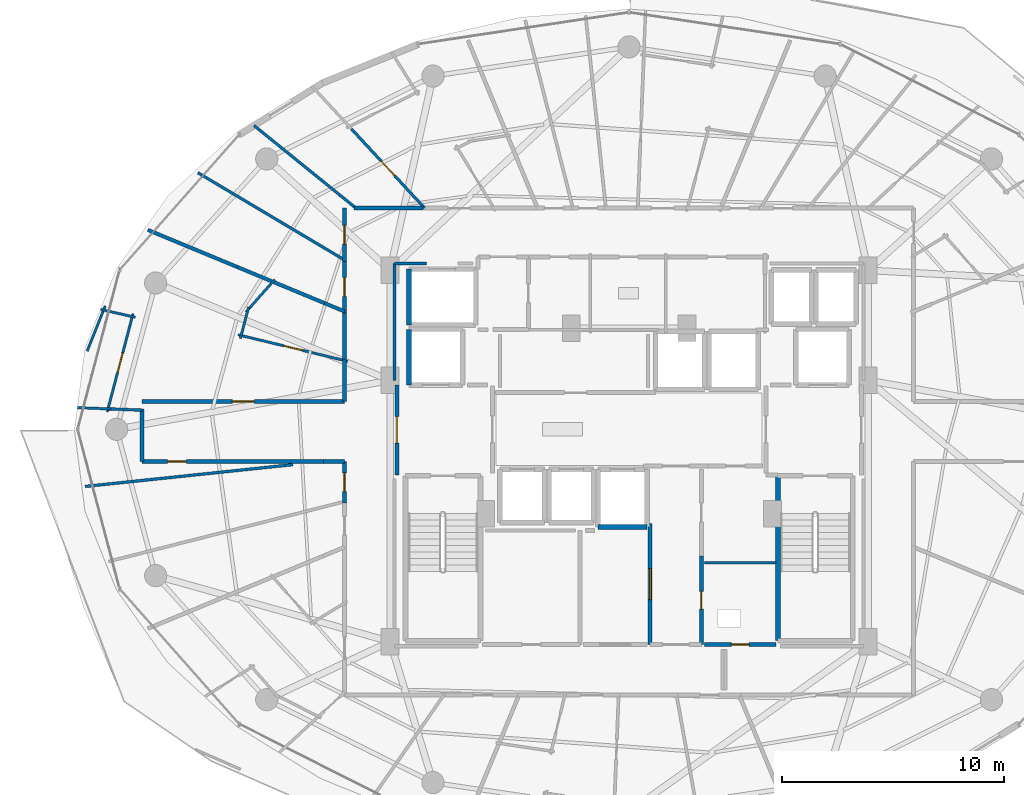
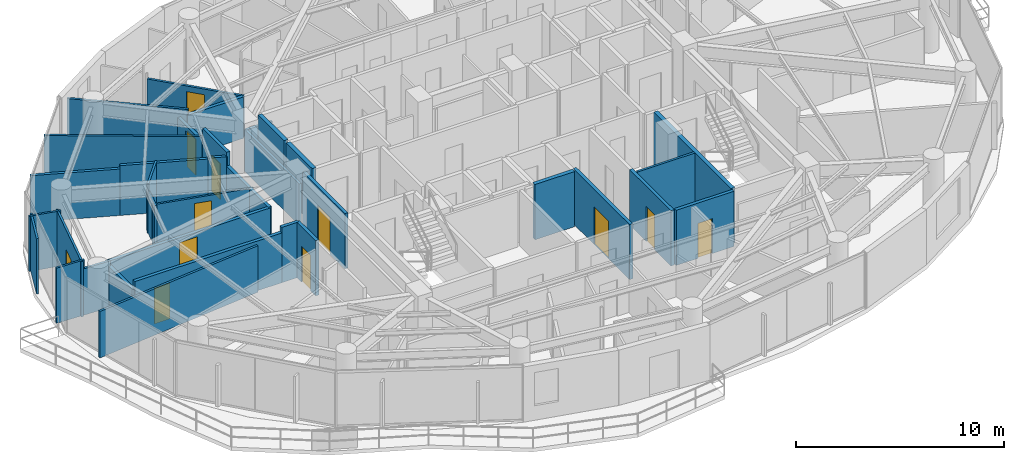
# One storey, part 21 of 28: 36 walls, 12 doors, 12 openings.
"""IFC4 building model written with IfcOpenShell, lengths in metres."""

import ifcopenshell
import ifcopenshell.guid

model = None  # the IFC model being written
_history = None  # IfcOwnerHistory: only IFC2X3 demands one
_inside = {}  # id of a spatial element -> (the spatial element, [elements in it])
_under = {}  # id of a project, library or spatial element -> (it, [spatial elements below it])
_declared = {}  # id of a project -> (the project, [libraries it declares])
_typed = {}  # id of a type object -> (the type object, [elements of that type])
_made_of = {}  # id of a material, layer set ... -> (it, [elements and type objects made of it])


def new_model(schema):
    """Start an empty IFC model of exactly this schema.

    Asked for "IFC4X3", IfcOpenShell would pick the latest addendum, in which some entities
    have other attributes; the version numbers below select the first issue.
    IFC2X3 requires an IfcOwnerHistory on every rooted entity: one is made here for all.
    """
    global model, _history
    if schema == "IFC4X3":
        model = ifcopenshell.file(schema_version=(4, 3, 0, 0))
    else:
        model = ifcopenshell.file(schema=schema)
    _inside.clear()
    _under.clear()
    _declared.clear()
    _typed.clear()
    _made_of.clear()
    _history = None
    if model.schema == "IFC2X3":
        org = make("IfcOrganization", Name="unknown")
        user = make(
            "IfcPersonAndOrganization",
            ThePerson=make("IfcPerson", FamilyName="unknown"),
            TheOrganization=org,
        )
        app = make(
            "IfcApplication",
            ApplicationDeveloper=org,
            Version="unknown",
            ApplicationFullName="unknown",
            ApplicationIdentifier="unknown",
        )
        _history = make(
            "IfcOwnerHistory",
            OwningUser=user,
            OwningApplication=app,
            ChangeAction="ADDED",
            CreationDate=0,
        )
    return model


def make(cls, **values):
    """One entity of the class cls with the attributes given. An attribute that is None is left unset."""
    return model.create_entity(
        cls, **{name: value for name, value in values.items() if value is not None}
    )


def rooted(cls, **values):
    """An entity with a GlobalId (a new one), such as an element, a storey or a relation."""
    return make(cls, GlobalId=ifcopenshell.guid.new(), OwnerHistory=_history, **values)


def si_unit(unit_type, name, prefix=None):
    """IfcSIUnit, for example si_unit("LENGTHUNIT", "METRE", prefix="MILLI")."""
    return make("IfcSIUnit", UnitType=unit_type, Prefix=prefix, Name=name)


def assignment(units):
    """IfcUnitAssignment: the units of a project."""
    return None if units is None else make("IfcUnitAssignment", Units=units)


def point(xyz):
    """IfcCartesianPoint."""
    return None if xyz is None else make("IfcCartesianPoint", Coordinates=xyz)


def direction(xyz):
    """IfcDirection."""
    return None if xyz is None else make("IfcDirection", DirectionRatios=xyz)


def frame(location, z_axis=None, x_axis=None):
    """IfcAxis2Placement3D, a coordinate frame: its origin and axes. An axis left out is left unset."""
    return make(
        "IfcAxis2Placement3D",
        Location=point(location),
        Axis=direction(z_axis),
        RefDirection=direction(x_axis),
    )


def frame_2d(location, x_axis=None):
    """IfcAxis2Placement2D, a coordinate frame in the plane: its origin and x axis."""
    return make(
        "IfcAxis2Placement2D", Location=point(location), RefDirection=direction(x_axis)
    )


def origin():
    """The frame at (0, 0, 0) with its axes left unset."""
    return frame((0.0, 0.0, 0.0))


def place(relative_to, where):
    """IfcLocalPlacement: puts the frame where relative to a parent placement (None: the world)."""
    return make(
        "IfcLocalPlacement", PlacementRelTo=relative_to, RelativePlacement=where
    )


def context(
    kind, dimensions, precision=None, world=None, true_north=None, identifier=None
):
    """IfcGeometricRepresentationContext, for example the 3D "Model" context."""
    return make(
        "IfcGeometricRepresentationContext",
        ContextIdentifier=identifier,
        ContextType=kind,
        CoordinateSpaceDimension=dimensions,
        Precision=precision,
        WorldCoordinateSystem=world,
        TrueNorth=true_north,
    )


def subcontext(parent, identifier, kind, view, scale=None):
    """IfcGeometricRepresentationSubContext, for example "Body" below "Model"."""
    return make(
        "IfcGeometricRepresentationSubContext",
        ContextIdentifier=identifier,
        ContextType=kind,
        ParentContext=parent,
        TargetScale=scale,
        TargetView=view,
    )


def project(units=None, contexts=None):
    """IfcProject with its units and contexts."""
    return rooted(
        "IfcProject",
        Name="project",
        RepresentationContexts=contexts,
        UnitsInContext=assignment(units),
    )


def spatial(cls, under=None, at=None, **own):
    """A site, building, storey or space (cls), placed at a placement, below another one or the project."""
    s = rooted(cls, ObjectPlacement=at, **own)
    if under is not None:
        _under.setdefault(under.id(), (under, []))[1].append(s)
    return s


def profile(cls, at=None, kind="AREA", **sizes):
    """A parametric profile (cls). Its sizes go by their IFC names, for example OverallWidth=200.0."""
    return make(cls, ProfileType=kind, Position=at, **sizes)


def rectangle(**sizes):
    """IfcRectangleProfileDef."""
    return profile("IfcRectangleProfileDef", **sizes)


def extrude(swept, where, along, depth):
    """IfcExtrudedAreaSolid: the profile swept, set in the frame where, extruded along a direction by depth."""
    return make(
        "IfcExtrudedAreaSolid",
        SweptArea=swept,
        Position=where,
        ExtrudedDirection=direction(along),
        Depth=depth,
    )


def shape(context_of_items, identifier, shape_type, items):
    """IfcShapeRepresentation: the items that make up one representation, for example the "Body"."""
    return make(
        "IfcShapeRepresentation",
        ContextOfItems=context_of_items,
        RepresentationIdentifier=identifier,
        RepresentationType=shape_type,
        Items=items,
    )


def material(Name=None, Category=None):
    """IfcMaterial."""
    return make("IfcMaterial", Name=Name, Category=Category)


def layer(
    of_material, thickness, ventilated=None, Name=None, Category=None, Priority=None
):
    """IfcMaterialLayer: one layer of a wall or slab, of a material (None: an air gap)."""
    return make(
        "IfcMaterialLayer",
        Material=of_material,
        LayerThickness=thickness,
        IsVentilated=ventilated,
        Name=Name,
        Category=Category,
        Priority=Priority,
    )


def layer_set(layers, Name=None):
    """IfcMaterialLayerSet."""
    return make("IfcMaterialLayerSet", MaterialLayers=layers, LayerSetName=Name)


def made_of(thing, what):
    """Note that an element or type object is made of a material, layer set ...; save() writes the relation."""
    if what is not None:
        _made_of.setdefault(what.id(), (what, []))[1].append(thing)
    return thing


def type_object(cls, material=None, **own):
    """A type object (cls), such as IfcWallType, which elements share."""
    return made_of(rooted(cls, **own), material)


def element(
    cls,
    number,
    at=None,
    inside=None,
    cuts=None,
    type_object=None,
    material=None,
    context=None,
    identifier="Body",
    shape_type=None,
    held_by="IfcProductDefinitionShape",
    body=None,
    shapes=None,
    **own,
):
    """One element of the class cls, such as IfcWall. Its Tag is "e" and its number.

    at: its placement. inside: the storey or other place that contains it. cuts: it is an
    opening in that element (IfcRelVoidsElement). A single representation is given by context,
    identifier, shape_type and body (its items); several are given by shapes. held_by: the class
    of the entity that holds the representations. save() writes the other relations.
    """
    e = rooted(cls, Tag="e%d" % number, ObjectPlacement=at, **own)
    if body is not None:
        shapes = [shape(context, identifier, shape_type, body)]
    if shapes is not None:
        e.Representation = make(held_by, Representations=shapes)
    if inside is not None:
        _inside.setdefault(inside.id(), (inside, []))[1].append(e)
    if cuts is not None:
        rooted(
            "IfcRelVoidsElement", RelatingBuildingElement=cuts, RelatedOpeningElement=e
        )
    if type_object is not None:
        _typed.setdefault(type_object.id(), (type_object, []))[1].append(e)
    return made_of(e, material)


def fill(opening, filler):
    """IfcRelFillsElement: the door or window that sits in an opening."""
    return rooted(
        "IfcRelFillsElement",
        RelatingOpeningElement=opening,
        RelatedBuildingElement=filler,
    )


def aggregate(whole, parts):
    """IfcRelAggregates: a whole, such as a stair, and the parts it consists of."""
    return rooted("IfcRelAggregates", RelatingObject=whole, RelatedObjects=parts)


def save(model, path):
    """Write the relations noted so far, then the file.

    IfcRelAggregates (storeys below a building ...), IfcRelContainedInSpatialStructure (elements
    in a storey), IfcRelDefinesByType, IfcRelAssociatesMaterial and IfcRelDeclares: one each for
    every whole, place, type object, material and project.
    """
    for whole, parts in _under.values():
        aggregate(whole, parts)
    for where, things in _inside.values():
        rooted(
            "IfcRelContainedInSpatialStructure",
            RelatedElements=things,
            RelatingStructure=where,
        )
    for kind, things in _typed.values():
        rooted("IfcRelDefinesByType", RelatedObjects=things, RelatingType=kind)
    for what, things in _made_of.values():
        rooted("IfcRelAssociatesMaterial", RelatedObjects=things, RelatingMaterial=what)
    for by, libraries in _declared.values():
        rooted("IfcRelDeclares", RelatingContext=by, RelatedDefinitions=libraries)
    model.write(path)


model = new_model("IFC4")

# Units and contexts
model_context = context("Model", 3, precision=1e-05, world=origin(), true_north=direction((0.0, 1.0)))
body_context = subcontext(model_context, "Body", "Model", "MODEL_VIEW")
ifc_project = project(units=[si_unit("LENGTHUNIT", "METRE"), si_unit("AREAUNIT", "SQUARE_METRE"), si_unit("VOLUMEUNIT", "CUBIC_METRE"), si_unit("PLANEANGLEUNIT", "RADIAN"), si_unit("MASSUNIT", "GRAM", prefix="KILO")], contexts=[model_context])

# Site, building, storey
site_placement = place(None, origin())
site = spatial("IfcSite", under=ifc_project, at=site_placement, CompositionType="ELEMENT")
building_placement = place(site_placement, origin())
building = spatial("IfcBuilding", under=site, at=building_placement, Name="Vorneva Point Tower", CompositionType="ELEMENT")
storey_placement = place(building_placement, frame((0.0, 0.0, 139.60009765625)))
storey = spatial("IfcBuildingStorey", under=building, at=storey_placement, Name="L37", CompositionType="ELEMENT", Elevation=139.60009765625)

# Wall
ifc_material_1 = material(Name="Concrete B60 (C50/60)", Category="concrete")
ifc_layer_1 = layer(ifc_material_1, 0.5)
ifc_layer_set_1 = layer_set([ifc_layer_1], Name="Concrete B60 (C50/60)")
wall_type_1 = type_object("IfcWallType", Name="WL-CORE-500", PredefinedType="SHEAR", material=ifc_layer_set_1)
wall_1_placement = place(storey_placement, frame((28.10009765625, 30.5, 0.0), z_axis=(0.0, 0.0, 1.0), x_axis=(0.0, -1.0, 0.0)))
element("IfcWall", 1, at=wall_1_placement, inside=storey, type_object=wall_type_1, Name="L37 Lift FFL1 Shaft Wall -X", PredefinedType="SHEAR", context=body_context, shape_type="SweptSolid", body=[
    extrude(rectangle(XDim=2.5, YDim=0.219970703125, at=frame_2d((1.25, 0.0))), origin(), (0.0, 0.0, 1.0), 3.239990234375),
])

# Wall, opening, door
ifc_material_2 = material(Name="Fire-rated acoustic gypsum stud partition", Category="gypsum")
ifc_layer_2 = layer(ifc_material_2, 0.110107421875)
ifc_layer_set_2 = layer_set([ifc_layer_2], Name="Fire-rated acoustic gypsum stud partition")
wall_type_2 = type_object("IfcWallType", Name="WL-PART-110", PredefinedType="PARTITIONING", material=ifc_layer_set_2)
wall_2_placement = place(storey_placement, frame((25.336181640625, 29.06103515625, 0.0), z_axis=(0.0, 0.0, 1.0), x_axis=(-0.972001766098, 0.234973544686, 0.0)))
wall_2 = element("IfcWall", 2, at=wall_2_placement, inside=storey, type_object=wall_type_2, Name="L37 Interior Partition 105", PredefinedType="PARTITIONING", context=body_context, shape_type="SweptSolid", body=[
    extrude(rectangle(XDim=5.064208984375, YDim=0.110107421875, at=frame_2d((2.5322265625, 0.0))), origin(), (0.0, 0.0, 1.0), 2.431884765625),
])
opening_1_placement = place(wall_2_placement, frame((2.10693359375, 0.0, 0.0)))
opening_1 = element("IfcOpeningElement", 3, at=opening_1_placement, cuts=wall_2, Name="Opening ID-02", PredefinedType="OPENING", context=body_context, shape_type="SweptSolid", body=[
    extrude(rectangle(XDim=0.85009765625, YDim=2.10009765625, at=frame_2d((0.425048828125, 1.050048828125))), frame((0.0, 0.06982421875, 0.0), z_axis=(0.0, -1.0, 0.0), x_axis=(1.0, 0.0, 0.0)), (0.0, 0.0, 1.0), 0.139892578125),
])
ifc_material_3 = material(Name="Engineered oak fire-rated door leaf", Category="wood")
door_type_1 = type_object("IfcDoorType", Name="DR-BATH-850", OperationType="NOTDEFINED", PredefinedType="DOOR", material=ifc_material_3)
door_1_placement = place(opening_1_placement, origin())
door_1 = element("IfcDoor", 4, at=door_1_placement, inside=storey, type_object=door_type_1, Name="L37 Door Living and Dining Room L37-04 / Bathroom L37-04", OperationType="SINGLE_SWING_RIGHT", OverallHeight=2.10009765625, OverallWidth=0.85009765625, PredefinedType="DOOR", context=body_context, shape_type="SweptSolid", body=[
    extrude(rectangle(XDim=0.85009765625, YDim=2.10009765625, at=frame_2d((0.425048828125, 1.050048828125))), frame((0.0, 0.02490234375, 0.0), z_axis=(0.0, -1.0, 0.0), x_axis=(1.0, 0.0, 0.0)), (0.0, 0.0, 1.0), 0.050048828125),
])
fill(opening_1, door_1)

# Walls
wall_3_placement = place(storey_placement, frame((20.514404296875, 30.08251953125, 0.0), z_axis=(0.0, 0.0, 1.0), x_axis=(0.254223916145, 0.967145387447, 0.0)))
element("IfcWall", 5, at=wall_3_placement, inside=storey, type_object=wall_type_2, Name="L37 Interior Partition 106", PredefinedType="PARTITIONING", context=body_context, shape_type="SweptSolid", body=[
    extrude(rectangle(XDim=1.47216796875, YDim=0.110107421875, at=frame_2d((0.736083984375, 0.0))), origin(), (0.0, 0.0, 1.0), 2.431884765625),
])
wall_4_placement = place(storey_placement, frame((20.76025390625, 31.26611328125, 0.0), z_axis=(0.0, 0.0, 1.0), x_axis=(0.662014950831, 0.749490630279, 0.0)))
element("IfcWall", 6, at=wall_4_placement, inside=storey, type_object=wall_type_2, Name="L37 Interior Partition 107", PredefinedType="PARTITIONING", context=body_context, shape_type="SweptSolid", body=[
    extrude(rectangle(XDim=1.970458984375, YDim=0.110107421875, at=frame_2d((0.9853515625, 0.0))), origin(), (0.0, 0.0, 1.0), 2.921875),
])
wall_5_placement = place(storey_placement, frame((14.2255859375, 31.39306640625, 0.0), z_axis=(0.0, 0.0, 1.0), x_axis=(0.975195623383, -0.221344744989, 0.0)))
element("IfcWall", 7, at=wall_5_placement, inside=storey, type_object=wall_type_2, Name="L37 Interior Partition 108", PredefinedType="PARTITIONING", context=body_context, shape_type="SweptSolid", body=[
    extrude(rectangle(XDim=1.603759765625, YDim=0.110107421875, at=frame_2d((0.8017578125, 0.0))), origin(), (0.0, 0.0, 1.0), 3.239990234375),
])

# Wall, opening, door
wall_6_placement = place(storey_placement, frame((15.688720703125, 31.204345703125, 0.0), z_axis=(0.0, 0.0, 1.0), x_axis=(-0.254346037576, -0.967113278354, 0.0)))
wall_6 = element("IfcWall", 8, at=wall_6_placement, inside=storey, type_object=wall_type_2, Name="L37 Interior Partition 109", PredefinedType="PARTITIONING", context=body_context, shape_type="SweptSolid", body=[
    extrude(rectangle(XDim=4.570068359375, YDim=0.110107421875, at=frame_2d((2.28515625, 0.0))), origin(), (0.0, 0.0, 1.0), 3.239990234375),
])
opening_2_placement = place(wall_6_placement, frame((1.8349609375, 0.0, 0.0)))
opening_2 = element("IfcOpeningElement", 9, at=opening_2_placement, cuts=wall_6, Name="Opening ID-01", PredefinedType="OPENING", context=body_context, shape_type="SweptSolid", body=[
    extrude(rectangle(XDim=0.89990234375, YDim=2.10009765625, at=frame_2d((0.449951171875, 1.050048828125))), frame((0.0, 0.06982421875, 0.0), z_axis=(0.0, -1.0, 0.0), x_axis=(1.0, 0.0, 0.0)), (0.0, 0.0, 1.0), 0.139892578125),
])
door_type_2 = type_object("IfcDoorType", Name="DR-ROOM-900", OperationType="NOTDEFINED", PredefinedType="DOOR", material=ifc_material_3)
door_2_placement = place(opening_2_placement, origin())
door_2 = element("IfcDoor", 10, at=door_2_placement, inside=storey, type_object=door_type_2, Name="L37 Door Living and Dining Room L37-04 / Kitchen L37-04", OperationType="SINGLE_SWING_LEFT", OverallHeight=2.10009765625, OverallWidth=0.89990234375, PredefinedType="DOOR", context=body_context, shape_type="SweptSolid", body=[
    extrude(rectangle(XDim=0.89990234375, YDim=2.10009765625, at=frame_2d((0.449951171875, 1.050048828125))), frame((0.0, 0.02490234375, 0.0), z_axis=(0.0, -1.0, 0.0), x_axis=(1.0, 0.0, 0.0)), (0.0, 0.0, 1.0), 0.050048828125),
])
fill(opening_2, door_2)

# Walls
wall_7_placement = place(storey_placement, frame((14.43603515625, 31.548095703125, 0.0), z_axis=(0.0, 0.0, 1.0), x_axis=(-0.371544752876, -0.928415045446, 0.0)))
element("IfcWall", 11, at=wall_7_placement, inside=storey, type_object=wall_type_2, Name="L37 Interior Partition 110", PredefinedType="PARTITIONING", context=body_context, shape_type="SweptSolid", body=[
    extrude(rectangle(XDim=2.185546875, YDim=0.110107421875, at=frame_2d((1.0927734375, 0.0))), origin(), (0.0, 0.0, 1.0), 3.239990234375),
])
wall_8_placement = place(storey_placement, frame((13.18701171875, 26.974609375, 0.0), z_axis=(0.0, 0.0, 1.0), x_axis=(0.999208657324, -0.039775106907, 0.0)))
element("IfcWall", 12, at=wall_8_placement, inside=storey, type_object=wall_type_2, Name="L37 Interior Partition 112", PredefinedType="PARTITIONING", context=body_context, shape_type="SweptSolid", body=[
    extrude(rectangle(XDim=1.51611328125, YDim=0.110107421875, at=frame_2d((0.758056640625, 0.0))), origin(), (0.0, 0.0, 1.0), 3.239990234375),
])
ifc_layer_3 = layer(ifc_material_2, 0.125)
ifc_layer_set_3 = layer_set([ifc_layer_3], Name="Fire-rated acoustic gypsum stud partition")
wall_type_3 = type_object("IfcWallType", Name="WL-PART-125", PredefinedType="PARTITIONING", material=ifc_layer_set_3)
wall_9_placement = place(storey_placement, frame((44.60009765625, 20.0, 0.0), z_axis=(0.0, 0.0, 1.0), x_axis=(-1.0, 0.0, 0.0)))
element("IfcWall", 13, at=wall_9_placement, inside=storey, type_object=wall_type_3, Name="L37 Interior Partition 017", PredefinedType="PARTITIONING", context=body_context, shape_type="SweptSolid", body=[
    extrude(rectangle(XDim=3.2001953125, YDim=0.125, at=frame_2d((1.60009765625, 0.0))), origin(), (0.0, 0.0, 1.0), 3.239990234375),
])

# Wall, opening, door
wall_10_placement = place(storey_placement, frame((25.5048828125, 39.51708984375, 0.0), z_axis=(0.0, 0.0, 1.0), x_axis=(0.678766339668, -0.734354312395, 0.0)))
wall_10 = element("IfcWall", 14, at=wall_10_placement, inside=storey, type_object=wall_type_3, Name="L37 Interior Partition 099", PredefinedType="PARTITIONING", context=body_context, shape_type="SweptSolid", body=[
    extrude(rectangle(XDim=4.857421875, YDim=0.125, at=frame_2d((2.4287109375, 0.0))), origin(), (0.0, 0.0, 1.0), 2.431884765625),
])
opening_3_placement = place(wall_10_placement, frame((1.978759765625, 0.0, 0.0)))
opening_3 = element("IfcOpeningElement", 15, at=opening_3_placement, cuts=wall_10, Name="Opening ID-01", PredefinedType="OPENING", context=body_context, shape_type="SweptSolid", body=[
    extrude(rectangle(XDim=0.89990234375, YDim=2.10009765625, at=frame_2d((0.449951171875, 1.050048828125))), frame((0.0, 0.077392578125, 0.0), z_axis=(0.0, -1.0, 0.0), x_axis=(1.0, 0.0, 0.0)), (0.0, 0.0, 1.0), 0.15478515625),
])
door_3_placement = place(opening_3_placement, origin())
door_3 = element("IfcDoor", 16, at=door_3_placement, inside=storey, type_object=door_type_2, Name="L37 Door Living and Dining Room L37-03 / Master Bedroom L37-03.1", OperationType="SINGLE_SWING_LEFT", OverallHeight=2.10009765625, OverallWidth=0.89990234375, PredefinedType="DOOR", context=body_context, shape_type="SweptSolid", body=[
    extrude(rectangle(XDim=0.89990234375, YDim=2.10009765625, at=frame_2d((0.449951171875, 1.050048828125))), frame((0.0, 0.02490234375, 0.0), z_axis=(0.0, -1.0, 0.0), x_axis=(1.0, 0.0, 0.0)), (0.0, 0.0, 1.0), 0.050048828125),
])
fill(opening_3, door_3)

# Walls
wall_11_placement = place(storey_placement, frame((21.1259765625, 39.6650390625, 0.0), z_axis=(0.0, 0.0, 1.0), x_axis=(0.777089771819, -0.629389773141, 0.0)))
element("IfcWall", 17, at=wall_11_placement, inside=storey, type_object=wall_type_3, Name="L37 Interior Partition 100", PredefinedType="PARTITIONING", context=body_context, shape_type="SweptSolid", body=[
    extrude(rectangle(XDim=5.902587890625, YDim=0.125, at=frame_2d((2.951171875, 0.0))), origin(), (0.0, 0.0, 1.0), 2.727783203125),
])
wall_12_placement = place(storey_placement, frame((18.60302734375, 37.5400390625, 0.0), z_axis=(0.0, 0.0, 1.0), x_axis=(0.859389720334, -0.511321140365, 0.0)))
element("IfcWall", 18, at=wall_12_placement, inside=storey, type_object=wall_type_3, Name="L37 Interior Partition 101", PredefinedType="PARTITIONING", context=body_context, shape_type="SweptSolid", body=[
    extrude(rectangle(XDim=7.67626953125, YDim=0.125, at=frame_2d((3.838134765625, 0.0))), origin(), (0.0, 0.0, 1.0), 2.727783203125),
])
wall_13_placement = place(storey_placement, frame((14.56201171875, 26.919921875, 0.0), z_axis=(0.0, 0.0, 1.0), x_axis=(0.999244683777, -0.03885951548, 0.0)))
element("IfcWall", 19, at=wall_13_placement, inside=storey, type_object=wall_type_3, Name="L37 Interior Partition 111", PredefinedType="PARTITIONING", context=body_context, shape_type="SweptSolid", body=[
    extrude(rectangle(XDim=1.539306640625, YDim=0.125, at=frame_2d((0.76953125, 0.0))), origin(), (0.0, 0.0, 1.0), 2.727783203125),
])
wall_14_placement = place(storey_placement, frame((13.535888671875, 23.428955078125, 0.0), z_axis=(0.0, 0.0, 1.0), x_axis=(0.994524817277, 0.104500659427, 0.0)))
element("IfcWall", 20, at=wall_14_placement, inside=storey, type_object=wall_type_3, Name="L37 Interior Partition 113", PredefinedType="PARTITIONING", context=body_context, shape_type="SweptSolid", body=[
    extrude(rectangle(XDim=9.38720703125, YDim=0.125, at=frame_2d((4.693603515625, 0.0))), origin(), (0.0, 0.0, 1.0), 2.727783203125),
])
ifc_layer_4 = layer(ifc_material_2, 0.139892578125)
ifc_layer_set_4 = layer_set([ifc_layer_4], Name="Fire-rated acoustic gypsum stud partition")
wall_type_4 = type_object("IfcWallType", Name="WL-PART-140", PredefinedType="PARTITIONING", material=ifc_layer_set_4)
wall_15_placement = place(storey_placement, frame((28.89404296875, 33.449951171875, 0.0), z_axis=(0.0, 0.0, 1.0), x_axis=(-1.0, 0.0, 0.0)))
element("IfcWall", 21, at=wall_15_placement, inside=storey, type_object=wall_type_4, Name="L37 Interior Closure Partition 148", PredefinedType="PARTITIONING", context=body_context, shape_type="SweptSolid", body=[
    extrude(rectangle(XDim=1.444091796875, YDim=0.139892578125, at=frame_2d((0.72216796875, 0.0))), origin(), (0.0, 0.0, 1.0), 2.431884765625),
])
wall_16_placement = place(storey_placement, frame((27.449951171875, 33.449951171875, 0.0), z_axis=(0.0, 0.0, 1.0), x_axis=(0.0, -1.0, 0.0)))
element("IfcWall", 22, at=wall_16_placement, inside=storey, type_object=wall_type_4, Name="L37 Interior Closure Partition 149", PredefinedType="PARTITIONING", context=body_context, shape_type="SweptSolid", body=[
    extrude(rectangle(XDim=5.25390625, YDim=0.139892578125, at=frame_2d((2.626953125, 0.0))), origin(), (0.0, 0.0, 1.0), 2.431884765625),
])
ifc_layer_5 = layer(ifc_material_2, 0.159912109375)
ifc_layer_set_5 = layer_set([ifc_layer_5], Name="Fire-rated acoustic gypsum stud partition")
wall_type_5 = type_object("IfcWallType", Name="WL-PART-160", PredefinedType="PARTITIONING", material=ifc_layer_set_5)
wall_17_placement = place(storey_placement, frame((16.35498046875, 34.966064453125, 0.0), z_axis=(0.0, 0.0, 1.0), x_axis=(0.923874659351, -0.382695197002, 0.0)))
element("IfcWall", 23, at=wall_17_placement, inside=storey, type_object=wall_type_5, Name="L37 Interior Partition 102", PredefinedType="PARTITIONING", context=body_context, shape_type="SweptSolid", body=[
    extrude(rectangle(XDim=4.353271484375, YDim=0.159912109375, at=frame_2d((2.1767578125, 0.0))), origin(), (0.0, 0.0, 1.0), 2.727783203125),
])
wall_18_placement = place(storey_placement, frame((20.376953125, 33.300048828125, 0.0), z_axis=(0.0, 0.0, 1.0), x_axis=(0.923801529802, -0.382871693306, 0.0)))
element("IfcWall", 24, at=wall_18_placement, inside=storey, type_object=wall_type_5, Name="L37 Interior Partition 103", PredefinedType="PARTITIONING", context=body_context, shape_type="SweptSolid", body=[
    extrude(rectangle(XDim=4.39599609375, YDim=0.159912109375, at=frame_2d((2.197998046875, 0.0))), origin(), (0.0, 0.0, 1.0), 2.921875),
])
wall_19_placement = place(storey_placement, frame((24.30859375, 31.670654296875, 0.0), z_axis=(0.0, 0.0, 1.0), x_axis=(0.923855963606, -0.38274032778, 0.0)))
element("IfcWall", 25, at=wall_19_placement, inside=storey, type_object=wall_type_5, Name="L37 Interior Partition 104", PredefinedType="PARTITIONING", context=body_context, shape_type="SweptSolid", body=[
    extrude(rectangle(XDim=0.9619140625, YDim=0.159912109375, at=frame_2d((0.48095703125, 0.0))), origin(), (0.0, 0.0, 1.0), 2.971923828125),
])

# Wall, opening, door
ifc_material_4 = material(Name="Autoclaved aerated concrete blockwork", Category="masonry")
ifc_layer_6 = layer(ifc_material_4, 0.179931640625)
ifc_layer_set_6 = layer_set([ifc_layer_6], Name="Autoclaved aerated concrete blockwork")
wall_type_6 = type_object("IfcWallType", Name="WL-PART-180", PredefinedType="PARTITIONING", material=ifc_layer_set_6)
wall_20_placement = place(storey_placement, frame((27.550048828125, 28.0, 0.0), z_axis=(0.0, 0.0, 1.0), x_axis=(0.0, -1.0, 0.0)))
wall_20 = element("IfcWall", 26, at=wall_20_placement, inside=storey, type_object=wall_type_6, Name="L37 Interior Partition 002", PredefinedType="PARTITIONING", context=body_context, shape_type="SweptSolid", body=[
    extrude(rectangle(XDim=4.050048828125, YDim=0.179931640625, at=frame_2d((2.02490234375, 0.0))), origin(), (0.0, 0.0, 1.0), 3.239990234375),
])
opening_4_placement = place(wall_20_placement, frame((1.425048828125, 0.0, 0.0)))
opening_4 = element("IfcOpeningElement", 27, at=opening_4_placement, cuts=wall_20, Name="Opening FD-02", PredefinedType="OPENING", context=body_context, shape_type="SweptSolid", body=[
    extrude(rectangle(XDim=1.199951171875, YDim=2.14990234375, at=frame_2d((0.60009765625, 1.074951171875))), frame((0.0, 0.10498046875, 0.0), z_axis=(0.0, -1.0, 0.0), x_axis=(1.0, 0.0, 0.0)), (0.0, 0.0, 1.0), 0.209716796875),
])
ifc_material_5 = material(Name="Fire-rated powder-coated steel", Category="steel")
door_type_3 = type_object("IfcDoorType", Name="DR-FFL-1200", OperationType="NOTDEFINED", PredefinedType="DOOR", material=ifc_material_5)
door_4_placement = place(opening_4_placement, origin())
door_4 = element("IfcDoor", 28, at=door_4_placement, inside=storey, type_object=door_type_3, Name="L37 Door West Firefighting Lobby / L37 Circulation Corridor", OperationType="SINGLE_SWING_RIGHT", OverallHeight=2.14990234375, OverallWidth=1.199951171875, PredefinedType="DOOR", context=body_context, shape_type="SweptSolid", body=[
    extrude(rectangle(XDim=1.199951171875, YDim=2.14990234375, at=frame_2d((0.60009765625, 1.074951171875))), frame((0.0, 0.02490234375, 0.0), z_axis=(0.0, -1.0, 0.0), x_axis=(1.0, 0.0, 0.0)), (0.0, 0.0, 1.0), 0.050048828125),
])
fill(opening_4, door_4)

wall_21_placement = place(storey_placement, frame((41.25, 16.320068359375, 0.0), z_axis=(0.0, 0.0, 1.0), x_axis=(0.0, 1.0, 0.0)))
wall_21 = element("IfcWall", 29, at=wall_21_placement, inside=storey, type_object=wall_type_6, Name="L37 Interior Partition 013", PredefinedType="PARTITIONING", context=body_context, shape_type="SweptSolid", body=[
    extrude(rectangle(XDim=3.98486328125, YDim=0.179931640625, at=frame_2d((1.992431640625, 0.0))), origin(), (0.0, 0.0, 1.0), 3.239990234375),
])
opening_5_placement = place(wall_21_placement, frame((1.592529296875, 0.0, 0.0)))
opening_5 = element("IfcOpeningElement", 30, at=opening_5_placement, cuts=wall_21, Name="Opening RD-01", PredefinedType="OPENING", context=body_context, shape_type="SweptSolid", body=[
    extrude(rectangle(XDim=0.800048828125, YDim=2.050048828125, at=frame_2d((0.39990234375, 1.02490234375))), frame((0.0, 0.10498046875, 0.0), z_axis=(0.0, -1.0, 0.0), x_axis=(1.0, 0.0, 0.0)), (0.0, 0.0, 1.0), 0.209716796875),
])
door_type_4 = type_object("IfcDoorType", Name="DR-RSR-800", OperationType="SINGLE_SWING_LEFT", PredefinedType="DOOR", material=ifc_material_5)
door_5_placement = place(opening_5_placement, origin())
door_5 = element("IfcDoor", 31, at=door_5_placement, inside=storey, type_object=door_type_4, Name="L37 Door Core Service Lobby / Electrical Riser", OperationType="SINGLE_SWING_LEFT", OverallHeight=2.050048828125, OverallWidth=0.800048828125, PredefinedType="DOOR", context=body_context, shape_type="SweptSolid", body=[
    extrude(rectangle(XDim=0.800048828125, YDim=2.050048828125, at=frame_2d((0.39990234375, 1.02490234375))), frame((0.0, 0.02490234375, 0.0), z_axis=(0.0, -1.0, 0.0), x_axis=(1.0, 0.0, 0.0)), (0.0, 0.0, 1.0), 0.050048828125),
])
fill(opening_5, door_5)

wall_22_placement = place(storey_placement, frame((38.949951171875, 21.7548828125, 0.0), z_axis=(0.0, 0.0, 1.0), x_axis=(0.0, -1.0, 0.0)))
wall_22 = element("IfcWall", 32, at=wall_22_placement, inside=storey, type_object=wall_type_6, Name="L37 Interior Partition 015", PredefinedType="PARTITIONING", context=body_context, shape_type="SweptSolid", body=[
    extrude(rectangle(XDim=5.434814453125, YDim=0.179931640625, at=frame_2d((2.71728515625, 0.0))), origin(), (0.0, 0.0, 1.0), 3.239990234375),
])
opening_6_placement = place(wall_22_placement, frame((2.017578125, 0.0, 0.0)))
opening_6 = element("IfcOpeningElement", 33, at=opening_6_placement, cuts=wall_22, Name="Opening FD-03", PredefinedType="OPENING", context=body_context, shape_type="SweptSolid", body=[
    extrude(rectangle(XDim=1.39990234375, YDim=2.199951171875, at=frame_2d((0.699951171875, 1.10009765625))), frame((0.0, 0.10498046875, 0.0), z_axis=(0.0, -1.0, 0.0), x_axis=(1.0, 0.0, 0.0)), (0.0, 0.0, 1.0), 0.209716796875),
])
door_type_5 = type_object("IfcDoorType", Name="DR-PLT-1400", OperationType="DOUBLE_SWING_LEFT", PredefinedType="DOOR", material=ifc_material_5)
door_6_placement = place(opening_6_placement, origin())
door_6 = element("IfcDoor", 34, at=door_6_placement, inside=storey, type_object=door_type_5, Name="L37 Door Core Service Lobby / Telecoms and Data Room", OperationType="DOUBLE_SWING_LEFT", OverallHeight=2.199951171875, OverallWidth=1.39990234375, PredefinedType="DOOR", context=body_context, shape_type="SweptSolid", body=[
    extrude(rectangle(XDim=1.39990234375, YDim=2.199951171875, at=frame_2d((0.699951171875, 1.10009765625))), frame((0.0, 0.02490234375, 0.0), z_axis=(0.0, -1.0, 0.0), x_axis=(1.0, 0.0, 0.0)), (0.0, 0.0, 1.0), 0.050048828125),
])
fill(opening_6, door_6)

wall_23_placement = place(storey_placement, frame((41.39990234375, 16.320068359375, 0.0), z_axis=(0.0, 0.0, 1.0), x_axis=(1.0, 0.0, 0.0)))
wall_23 = element("IfcWall", 35, at=wall_23_placement, inside=storey, type_object=wall_type_6, Name="L37 Interior Partition 018", PredefinedType="PARTITIONING", context=body_context, shape_type="SweptSolid", body=[
    extrude(rectangle(XDim=3.2001953125, YDim=0.179931640625, at=frame_2d((1.60009765625, 0.0))), origin(), (0.0, 0.0, 1.0), 3.239990234375),
])
opening_7_placement = place(wall_23_placement, frame((1.199951171875, 0.0, 0.0)))
opening_7 = element("IfcOpeningElement", 36, at=opening_7_placement, cuts=wall_23, Name="Opening RD-01", PredefinedType="OPENING", context=body_context, shape_type="SweptSolid", body=[
    extrude(rectangle(XDim=0.800048828125, YDim=2.050048828125, at=frame_2d((0.39990234375, 1.02490234375))), frame((0.0, 0.10498046875, 0.0), z_axis=(0.0, -1.0, 0.0), x_axis=(1.0, 0.0, 0.0)), (0.0, 0.0, 1.0), 0.209716796875),
])
door_7_placement = place(opening_7_placement, origin())
door_7 = element("IfcDoor", 37, at=door_7_placement, inside=storey, type_object=door_type_4, Name="L37 Door Electrical Riser / L37 Circulation Corridor", OperationType="SINGLE_SWING_LEFT", OverallHeight=2.050048828125, OverallWidth=0.800048828125, PredefinedType="DOOR", context=body_context, shape_type="SweptSolid", body=[
    extrude(rectangle(XDim=0.800048828125, YDim=2.050048828125, at=frame_2d((0.39990234375, 1.02490234375))), frame((0.0, 0.02490234375, 0.0), z_axis=(0.0, -1.0, 0.0), x_axis=(1.0, 0.0, 0.0)), (0.0, 0.0, 1.0), 0.050048828125),
])
fill(opening_7, door_7)

# Wall
wall_24_placement = place(storey_placement, frame((28.719970703125, 35.949951171875, 0.0), z_axis=(0.0, 0.0, 1.0), x_axis=(-1.0, 0.0, 0.0)))
element("IfcWall", 38, at=wall_24_placement, inside=storey, type_object=wall_type_6, Name="L37 Interior Partition 043", PredefinedType="PARTITIONING", context=body_context, shape_type="SweptSolid", body=[
    extrude(rectangle(XDim=3.10205078125, YDim=0.179931640625, at=frame_2d((1.551025390625, 0.0))), origin(), (0.0, 0.0, 1.0), 2.431884765625),
])

# Wall, opening, door
wall_25_placement = place(storey_placement, frame((25.199951171875, 35.949951171875, 0.0), z_axis=(0.0, 0.0, 1.0), x_axis=(0.0, -1.0, 0.0)))
wall_25 = element("IfcWall", 39, at=wall_25_placement, inside=storey, type_object=wall_type_6, Name="L37 Interior Partition 044", PredefinedType="PARTITIONING", context=body_context, shape_type="SweptSolid", body=[
    extrude(rectangle(XDim=2.39501953125, YDim=0.179931640625, at=frame_2d((1.197509765625, 0.0))), origin(), (0.0, 0.0, 1.0), 2.431884765625),
])
opening_8_placement = place(wall_25_placement, frame((0.7724609375, 0.0, 0.0)))
opening_8 = element("IfcOpeningElement", 40, at=opening_8_placement, cuts=wall_25, Name="Opening ID-02", PredefinedType="OPENING", context=body_context, shape_type="SweptSolid", body=[
    extrude(rectangle(XDim=0.85009765625, YDim=2.10009765625, at=frame_2d((0.425048828125, 1.050048828125))), frame((0.0, 0.10498046875, 0.0), z_axis=(0.0, -1.0, 0.0), x_axis=(1.0, 0.0, 0.0)), (0.0, 0.0, 1.0), 0.209716796875),
])
door_8_placement = place(opening_8_placement, origin())
door_8 = element("IfcDoor", 41, at=door_8_placement, inside=storey, type_object=door_type_1, Name="L37 Access Door L37 Circulation Corridor", OperationType="SINGLE_SWING_LEFT", OverallHeight=2.10009765625, OverallWidth=0.85009765625, PredefinedType="DOOR", context=body_context, shape_type="SweptSolid", body=[
    extrude(rectangle(XDim=0.85009765625, YDim=2.10009765625, at=frame_2d((0.425048828125, 1.050048828125))), frame((0.0, 0.02490234375, 0.0), z_axis=(0.0, -1.0, 0.0), x_axis=(1.0, 0.0, 0.0)), (0.0, 0.0, 1.0), 0.050048828125),
])
fill(opening_8, door_8)

wall_26_placement = place(storey_placement, frame((25.199951171875, 33.554931640625, 0.0), z_axis=(0.0, 0.0, 1.0), x_axis=(0.0, -1.0, 0.0)))
wall_26 = element("IfcWall", 42, at=wall_26_placement, inside=storey, type_object=wall_type_6, Name="L37 Interior Partition 045", PredefinedType="PARTITIONING", context=body_context, shape_type="SweptSolid", body=[
    extrude(rectangle(XDim=2.31298828125, YDim=0.179931640625, at=frame_2d((1.156494140625, 0.0))), origin(), (0.0, 0.0, 1.0), 3.239990234375),
])
opening_9_placement = place(wall_26_placement, frame((0.7314453125, 0.0, 0.0)))
opening_9 = element("IfcOpeningElement", 43, at=opening_9_placement, cuts=wall_26, Name="Opening ID-02", PredefinedType="OPENING", context=body_context, shape_type="SweptSolid", body=[
    extrude(rectangle(XDim=0.85009765625, YDim=2.10009765625, at=frame_2d((0.425048828125, 1.050048828125))), frame((0.0, 0.10498046875, 0.0), z_axis=(0.0, -1.0, 0.0), x_axis=(1.0, 0.0, 0.0)), (0.0, 0.0, 1.0), 0.209716796875),
])
door_9_placement = place(opening_9_placement, origin())
door_9 = element("IfcDoor", 44, at=door_9_placement, inside=storey, type_object=door_type_1, Name="L37 Access Door L37 Circulation Corridor", OperationType="SINGLE_SWING_RIGHT", OverallHeight=2.10009765625, OverallWidth=0.85009765625, PredefinedType="DOOR", context=body_context, shape_type="SweptSolid", body=[
    extrude(rectangle(XDim=0.85009765625, YDim=2.10009765625, at=frame_2d((0.425048828125, 1.050048828125))), frame((0.0, 0.02490234375, 0.0), z_axis=(0.0, -1.0, 0.0), x_axis=(1.0, 0.0, 0.0)), (0.0, 0.0, 1.0), 0.050048828125),
])
fill(opening_9, door_9)

# Wall
wall_27_placement = place(storey_placement, frame((25.199951171875, 29.156005859375, 0.0), z_axis=(0.0, 0.0, 1.0), x_axis=(0.0, -1.0, 0.0)))
element("IfcWall", 45, at=wall_27_placement, inside=storey, type_object=wall_type_6, Name="L37 Interior Partition 046", PredefinedType="PARTITIONING", context=body_context, shape_type="SweptSolid", body=[
    extrude(rectangle(XDim=1.906005859375, YDim=0.179931640625, at=frame_2d((0.953125, 0.0))), origin(), (0.0, 0.0, 1.0), 2.431884765625),
])

# Wall, opening, door
wall_28_placement = place(storey_placement, frame((25.199951171875, 27.25, 0.0), z_axis=(0.0, 0.0, 1.0), x_axis=(-1.0, 0.0, 0.0)))
wall_28 = element("IfcWall", 46, at=wall_28_placement, inside=storey, type_object=wall_type_6, Name="L37 Interior Partition 047", PredefinedType="PARTITIONING", context=body_context, shape_type="SweptSolid", body=[
    extrude(rectangle(XDim=9.099853515625, YDim=0.179931640625, at=frame_2d((4.5498046875, 0.0))), origin(), (0.0, 0.0, 1.0), 2.431884765625),
])
opening_10_placement = place(wall_28_placement, frame((4.050048828125, 0.0, 0.0)))
opening_10 = element("IfcOpeningElement", 47, at=opening_10_placement, cuts=wall_28, Name="Opening UD-01", PredefinedType="OPENING", context=body_context, shape_type="SweptSolid", body=[
    extrude(rectangle(XDim=1.0, YDim=2.14990234375, at=frame_2d((0.5, 1.074951171875))), frame((0.0, 0.10498046875, 0.0), z_axis=(0.0, -1.0, 0.0), x_axis=(1.0, 0.0, 0.0)), (0.0, 0.0, 1.0), 0.209716796875),
])
door_type_6 = type_object("IfcDoorType", Name="DR-UNIT-1000", OperationType="NOTDEFINED", PredefinedType="DOOR", material=ifc_material_3)
door_10_placement = place(opening_10_placement, origin())
door_10 = element("IfcDoor", 48, at=door_10_placement, inside=storey, type_object=door_type_6, Name="L37 Door L37 Circulation Corridor / Living and Dining Room L37-04", OperationType="SINGLE_SWING_RIGHT", OverallHeight=2.14990234375, OverallWidth=1.0, PredefinedType="DOOR", context=body_context, shape_type="SweptSolid", body=[
    extrude(rectangle(XDim=1.0, YDim=2.14990234375, at=frame_2d((0.5, 1.074951171875))), frame((0.0, 0.02490234375, 0.0), z_axis=(0.0, -1.0, 0.0), x_axis=(1.0, 0.0, 0.0)), (0.0, 0.0, 1.0), 0.050048828125),
])
fill(opening_10, door_10)

# Walls
wall_29_placement = place(storey_placement, frame((25.199951171875, 31.382080078125, 0.0), z_axis=(0.0, 0.0, 1.0), x_axis=(0.0, -1.0, 0.0)))
element("IfcWall", 49, at=wall_29_placement, inside=storey, type_object=wall_type_6, Name="L37 Interior Partition 048", PredefinedType="PARTITIONING", context=body_context, shape_type="SweptSolid", body=[
    extrude(rectangle(XDim=2.365966796875, YDim=0.179931640625, at=frame_2d((1.18310546875, 0.0))), origin(), (0.0, 0.0, 1.0), 2.431884765625),
])
wall_30_placement = place(storey_placement, frame((16.10009765625, 26.919921875, 0.0), z_axis=(0.0, 0.0, 1.0), x_axis=(0.0, -1.0, 0.0)))
element("IfcWall", 50, at=wall_30_placement, inside=storey, type_object=wall_type_6, Name="L37 Interior Partition 049", PredefinedType="PARTITIONING", context=body_context, shape_type="SweptSolid", body=[
    extrude(rectangle(XDim=2.369873046875, YDim=0.179931640625, at=frame_2d((1.18505859375, 0.0))), origin(), (0.0, 0.0, 1.0), 2.431884765625),
])

# Wall, opening, door
wall_31_placement = place(storey_placement, frame((16.10009765625, 24.550048828125, 0.0), z_axis=(0.0, 0.0, 1.0), x_axis=(1.0, 0.0, 0.0)))
wall_31 = element("IfcWall", 51, at=wall_31_placement, inside=storey, type_object=wall_type_6, Name="L37 Interior Partition 050", PredefinedType="PARTITIONING", context=body_context, shape_type="SweptSolid", body=[
    extrude(rectangle(XDim=8.163818359375, YDim=0.179931640625, at=frame_2d((4.08203125, 0.0))), origin(), (0.0, 0.0, 1.0), 2.921875),
])
opening_11_placement = place(wall_31_placement, frame((1.136962890625, 0.0, 0.0)))
opening_11 = element("IfcOpeningElement", 52, at=opening_11_placement, cuts=wall_31, Name="Opening ID-02", PredefinedType="OPENING", context=body_context, shape_type="SweptSolid", body=[
    extrude(rectangle(XDim=0.85009765625, YDim=2.10009765625, at=frame_2d((0.425048828125, 1.050048828125))), frame((0.0, 0.10498046875, 0.0), z_axis=(0.0, -1.0, 0.0), x_axis=(1.0, 0.0, 0.0)), (0.0, 0.0, 1.0), 0.209716796875),
])
door_11_placement = place(opening_11_placement, origin())
door_11 = element("IfcDoor", 53, at=door_11_placement, inside=storey, type_object=door_type_1, Name="L37 Access Door L37 Circulation Corridor", OperationType="SINGLE_SWING_LEFT", OverallHeight=2.10009765625, OverallWidth=0.85009765625, PredefinedType="DOOR", context=body_context, shape_type="SweptSolid", body=[
    extrude(rectangle(XDim=0.85009765625, YDim=2.10009765625, at=frame_2d((0.425048828125, 1.050048828125))), frame((0.0, 0.02490234375, 0.0), z_axis=(0.0, -1.0, 0.0), x_axis=(1.0, 0.0, 0.0)), (0.0, 0.0, 1.0), 0.050048828125),
])
fill(opening_11, door_11)

# Wall
wall_32_placement = place(storey_placement, frame((24.263916015625, 24.550048828125, 0.0), z_axis=(0.0, 0.0, 1.0), x_axis=(1.0, 0.0, 0.0)))
element("IfcWall", 54, at=wall_32_placement, inside=storey, type_object=wall_type_6, Name="L37 Interior Partition 051", PredefinedType="PARTITIONING", context=body_context, shape_type="SweptSolid", body=[
    extrude(rectangle(XDim=0.93603515625, YDim=0.179931640625, at=frame_2d((0.468017578125, 0.0))), origin(), (0.0, 0.0, 1.0), 3.239990234375),
])

# Wall, opening, door
wall_33_placement = place(storey_placement, frame((25.199951171875, 24.550048828125, 0.0), z_axis=(0.0, 0.0, 1.0), x_axis=(0.0, -1.0, 0.0)))
wall_33 = element("IfcWall", 55, at=wall_33_placement, inside=storey, type_object=wall_type_6, Name="L37 Interior Partition 052", PredefinedType="PARTITIONING", context=body_context, shape_type="SweptSolid", body=[
    extrude(rectangle(XDim=1.863037109375, YDim=0.179931640625, at=frame_2d((0.931640625, 0.0))), origin(), (0.0, 0.0, 1.0), 3.239990234375),
])
opening_12_placement = place(wall_33_placement, frame((0.506591796875, 0.0, 0.0)))
opening_12 = element("IfcOpeningElement", 56, at=opening_12_placement, cuts=wall_33, Name="Opening ID-02", PredefinedType="OPENING", context=body_context, shape_type="SweptSolid", body=[
    extrude(rectangle(XDim=0.85009765625, YDim=2.10009765625, at=frame_2d((0.425048828125, 1.050048828125))), frame((0.0, 0.10498046875, 0.0), z_axis=(0.0, -1.0, 0.0), x_axis=(1.0, 0.0, 0.0)), (0.0, 0.0, 1.0), 0.209716796875),
])
door_12_placement = place(opening_12_placement, origin())
door_12 = element("IfcDoor", 57, at=door_12_placement, inside=storey, type_object=door_type_1, Name="L37 Access Door L37 Circulation Corridor", OperationType="SINGLE_SWING_RIGHT", OverallHeight=2.10009765625, OverallWidth=0.85009765625, PredefinedType="DOOR", context=body_context, shape_type="SweptSolid", body=[
    extrude(rectangle(XDim=0.85009765625, YDim=2.10009765625, at=frame_2d((0.425048828125, 1.050048828125))), frame((0.0, 0.02490234375, 0.0), z_axis=(0.0, -1.0, 0.0), x_axis=(1.0, 0.0, 0.0)), (0.0, 0.0, 1.0), 0.050048828125),
])
fill(opening_12, door_12)

# Walls
ifc_material_6 = material(Name="Concrete B50 (C40/50)", Category="concrete")
ifc_layer_7 = layer(ifc_material_6, 0.219970703125)
ifc_layer_set_7 = layer_set([ifc_layer_7], Name="Concrete B50 (C40/50)")
wall_type_7 = type_object("IfcWallType", Name="WL-SHFT-220", PredefinedType="SOLIDWALL", material=ifc_layer_set_7)
wall_34_placement = place(storey_placement, frame((44.68994140625, 16.489990234375, 0.0), z_axis=(0.0, 0.0, 1.0), x_axis=(0.0, 1.0, 0.0)))
element("IfcWall", 58, at=wall_34_placement, inside=storey, type_object=wall_type_7, Name="L37 Exit Stair ST2 Shaft Wall left", PredefinedType="SOLIDWALL", context=body_context, shape_type="SweptSolid", body=[
    extrude(rectangle(XDim=7.419921875, YDim=0.219970703125, at=frame_2d((3.7099609375, 0.0))), origin(), (0.0, 0.0, 1.0), 3.239990234375),
])
wall_35_placement = place(storey_placement, frame((36.60009765625, 21.60009765625, 0.0), z_axis=(0.0, 0.0, 1.0), x_axis=(1.0, 0.0, 0.0)))
element("IfcWall", 59, at=wall_35_placement, inside=storey, type_object=wall_type_7, Name="L37 Lift PL6 Shaft Wall -Y", PredefinedType="SOLIDWALL", context=body_context, shape_type="SweptSolid", body=[
    extrude(rectangle(XDim=2.199951171875, YDim=0.219970703125, at=frame_2d((1.10009765625, 0.0))), origin(), (0.0, 0.0, 1.0), 3.239990234375),
])
wall_36_placement = place(storey_placement, frame((28.10009765625, 33.199951171875, 0.0), z_axis=(0.0, 0.0, 1.0), x_axis=(0.0, -1.0, 0.0)))
element("IfcWall", 60, at=wall_36_placement, inside=storey, type_object=wall_type_7, Name="L37 Lift SVL1 Shaft Wall -X", PredefinedType="SOLIDWALL", context=body_context, shape_type="SweptSolid", body=[
    extrude(rectangle(XDim=2.5, YDim=0.219970703125, at=frame_2d((1.25, 0.0))), origin(), (0.0, 0.0, 1.0), 3.239990234375),
])

save(model, "model.ifc")
